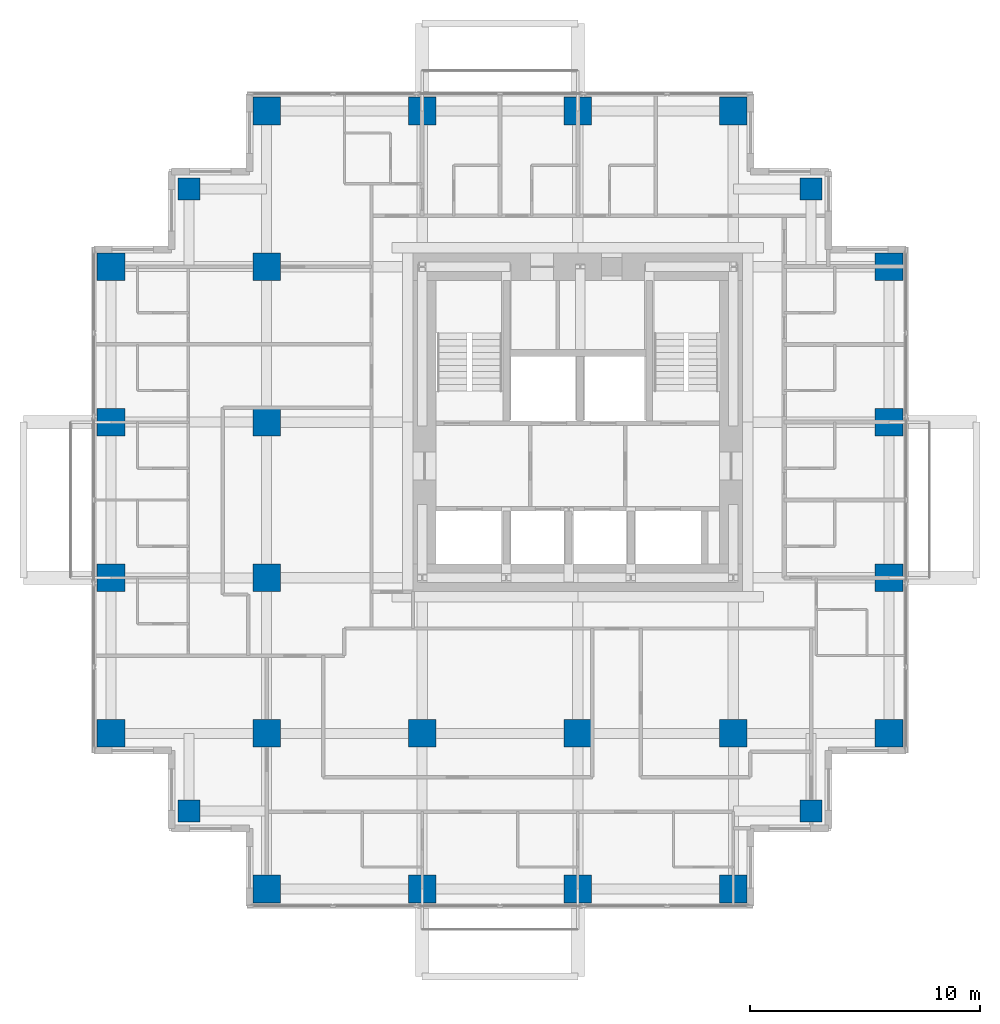
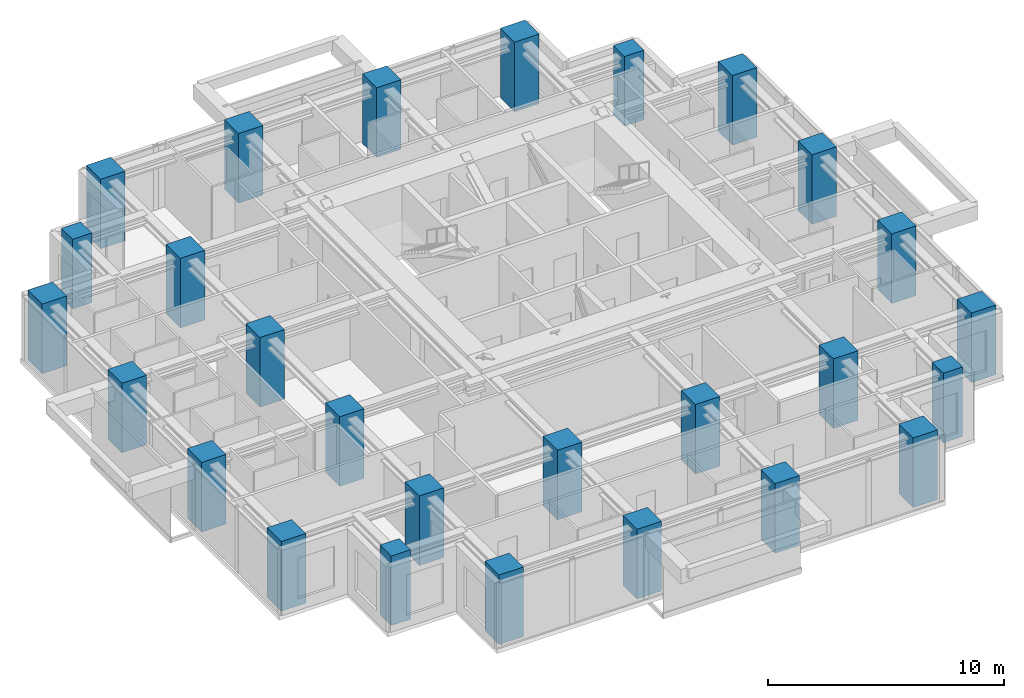
# One storey, part 1 of 10: 27 columns.
"""IFC4 building model written with IfcOpenShell, lengths in metres."""

from ifc_helpers import new_model, si_unit, direction, frame, origin, origin_2d, place, context, subcontext, project, spatial, rectangle, extrude, material, material_profile, profile_set, type_object, element, save


model = new_model("IFC4")

# Units and contexts
model_context = context("Model", 3, precision=1e-05, world=origin(), true_north=direction((0.0, 1.0)))
body_context = subcontext(model_context, "Body", "Model", "MODEL_VIEW")
ifc_project = project(units=[si_unit("LENGTHUNIT", "METRE"), si_unit("AREAUNIT", "SQUARE_METRE"), si_unit("VOLUMEUNIT", "CUBIC_METRE"), si_unit("PLANEANGLEUNIT", "RADIAN"), si_unit("MASSUNIT", "GRAM", prefix="KILO")], contexts=[model_context])

# Site, building, storey
site_placement = place(None, origin())
site = spatial("IfcSite", under=ifc_project, at=site_placement, CompositionType="ELEMENT")
building_placement = place(site_placement, origin())
building = spatial("IfcBuilding", under=site, at=building_placement, Name="Nyansa Garden Tower", CompositionType="ELEMENT")
storey_placement = place(building_placement, frame((0.0, 0.0, 181.800048828125)))
storey = spatial("IfcBuildingStorey", under=building, at=storey_placement, Name="L49", CompositionType="ELEMENT", Elevation=181.800048828125)

# Columns
ifc_material_1 = material(Name="Concrete C70/85", Category="concrete")
ifc_material_profile_1 = material_profile(ifc_material_1, rectangle(XDim=1.199951171875, YDim=1.199951171875, at=origin_2d()), Name="RC 1200x1200")
ifc_profile_set_1 = profile_set([ifc_material_profile_1], Name="Concrete C70/85")
column_type_1 = type_object("IfcColumnType", Name="Column C120 RC 1200x1200", PredefinedType="COLUMN", material=ifc_profile_set_1)
for number, where, z_axis, x_axis, name in (
    (1, (0.0, 6.75, 0.0), (0.0, 0.0, 1.0), (1.0, 0.0, 0.0), "Column 2/E L49"),
    (2, (0.0, 13.5, 0.0), (0.0, 0.0, 1.0), (1.0, 0.0, 0.0), "Column 2/F L49"),
    (3, (0.0, 20.25, 0.0), (0.0, 0.0, 1.0), (1.0, 0.0, 0.0), "Column 2/G L49"),
    (4, (0.0, 27.0, 0.0), (0.0, 0.0, 1.0), (1.0, 0.0, 0.0), "Column 2/H L49"),
    (5, (6.75, 0.0, 0.0), (0.0, 0.0, 1.0), (1.0, 0.0, 0.0), "Column 3/D L49"),
    (6, (6.75, 6.75, 0.0), (0.0, 0.0, 1.0), (1.0, 0.0, 0.0), "Column 3/E L49"),
    (7, (6.75, 13.5, 0.0), (0.0, 0.0, 1.0), (1.0, 0.0, 0.0), "Column 3/F L49"),
    (8, (6.75, 20.25, 0.0), (0.0, 0.0, 1.0), (1.0, 0.0, 0.0), "Column 3/G L49"),
    (9, (6.75, 27.0, 0.0), (0.0, 0.0, 1.0), (1.0, 0.0, 0.0), "Column 3/H L49"),
    (10, (6.75, 33.75, 0.0), (0.0, 0.0, 1.0), (1.0, 0.0, 0.0), "Column 3/J L49"),
    (11, (13.5, 0.0, 0.0), (0.0, 0.0, 1.0), (1.0, 0.0, 0.0), "Column 4/D L49"),
    (12, (13.5, 6.75, 0.0), (0.0, 0.0, 1.0), (1.0, 0.0, 0.0), "Column 4/E L49"),
    (13, (13.5, 33.75, 0.0), (0.0, 0.0, 1.0), (1.0, 0.0, 0.0), "Column 4/J L49"),
    (14, (20.25, 0.0, 0.0), (0.0, 0.0, 1.0), (1.0, 0.0, 0.0), "Column 5/D L49"),
    (15, (20.25, 6.75, 0.0), (0.0, 0.0, 1.0), (1.0, 0.0, 0.0), "Column 5/E L49"),
    (16, (20.25, 33.75, 0.0), (0.0, 0.0, 1.0), (1.0, 0.0, 0.0), "Column 5/J L49"),
    (17, (27.0, 0.0, 0.0), (0.0, 0.0, 1.0), (1.0, 0.0, 0.0), "Column 6/D L49"),
    (18, (27.0, 6.75, 0.0), (0.0, 0.0, 1.0), (1.0, 0.0, 0.0), "Column 6/E L49"),
    (19, (27.0, 33.75, 0.0), (0.0, 0.0, 1.0), (1.0, 0.0, 0.0), "Column 6/J L49"),
    (20, (33.75, 6.75, 0.0), (0.0, 0.0, 1.0), (1.0, 0.0, 0.0), "Column 7/E L49"),
    (21, (33.75, 13.5, 0.0), (0.0, 0.0, 1.0), (1.0, 0.0, 0.0), "Column 7/F L49"),
    (22, (33.75, 20.25, 0.0), (0.0, 0.0, 1.0), (1.0, 0.0, 0.0), "Column 7/G L49"),
    (23, (33.75, 27.0, 0.0), (0.0, 0.0, 1.0), (1.0, 0.0, 0.0), "Column 7/H L49"),
):
    element("IfcColumn", number, at=place(storey_placement, frame(where, z_axis=z_axis, x_axis=x_axis)), inside=storey, type_object=column_type_1, Name=name, PredefinedType="COLUMN", context=body_context, shape_type="SweptSolid", body=[
        extrude(rectangle(XDim=1.199951171875, YDim=1.199951171875, at=origin_2d()), origin(), (0.0, 0.0, 1.0), 3.599853515625),
    ])
ifc_material_2 = material(Name="Concrete C70/85", Category="concrete")
ifc_material_profile_2 = material_profile(ifc_material_2, rectangle(XDim=0.949951171875, YDim=0.949951171875, at=origin_2d()), Name="RC 950x950")
ifc_profile_set_2 = profile_set([ifc_material_profile_2], Name="Concrete C70/85")
column_type_2 = type_object("IfcColumnType", Name="Column C95 RC 950x950", PredefinedType="COLUMN", material=ifc_profile_set_2)
for number, where, z_axis, x_axis, name in (
    (24, (3.375, 3.375, 0.0), (0.0, 0.0, 1.0), (1.0, 0.0, 0.0), "Column x3.375/y3.375 L49"),
    (25, (3.375, 30.375, 0.0), (0.0, 0.0, 1.0), (1.0, 0.0, 0.0), "Column x3.375/y30.375 L49"),
    (26, (30.375, 3.375, 0.0), (0.0, 0.0, 1.0), (1.0, 0.0, 0.0), "Column x30.375/y3.375 L49"),
    (27, (30.375, 30.375, 0.0), (0.0, 0.0, 1.0), (1.0, 0.0, 0.0), "Column x30.375/y30.375 L49"),
):
    element("IfcColumn", number, at=place(storey_placement, frame(where, z_axis=z_axis, x_axis=x_axis)), inside=storey, type_object=column_type_2, Name=name, PredefinedType="COLUMN", context=body_context, shape_type="SweptSolid", body=[
        extrude(rectangle(XDim=0.949951171875, YDim=0.949951171875, at=origin_2d()), origin(), (0.0, 0.0, 1.0), 3.599853515625),
    ])

save(model, "model.ifc")
